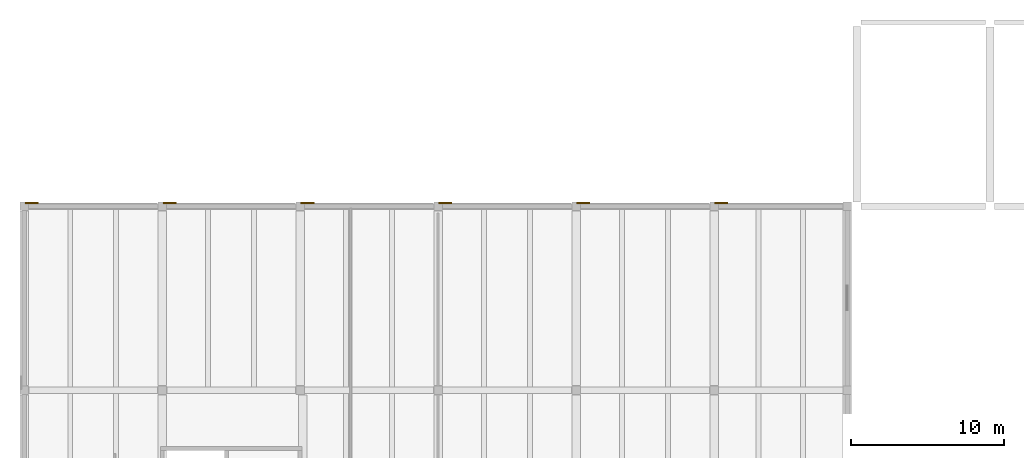
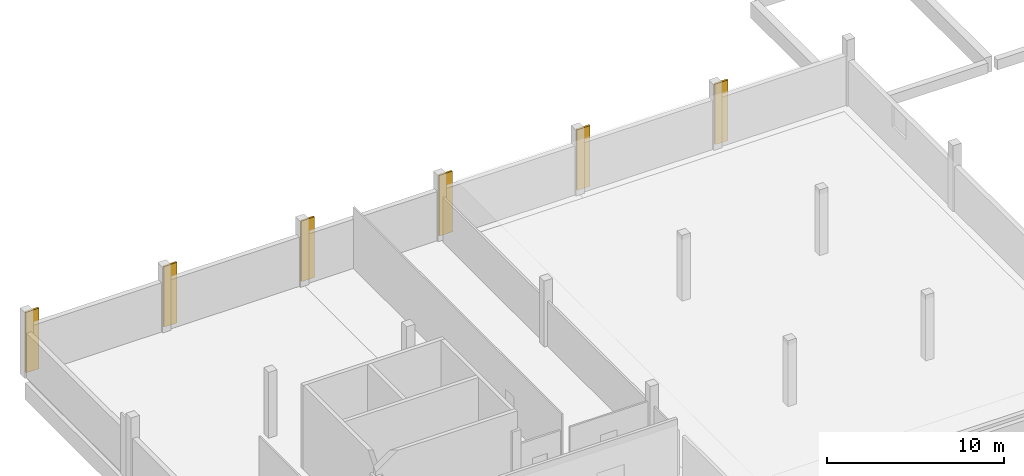
# One storey, part 25 of 25: 6 coverings.
"""IFC4 building model written with IfcOpenShell, lengths in metres."""

from ifc_helpers import new_model, si_unit, direction, frame, origin, origin_2d, place, context, subcontext, project, spatial, rectangle, extrude, material, layer, layer_set, type_object, element, save


model = new_model("IFC4")

# Units and contexts
model_context = context("Model", 3, precision=1e-05, world=origin(), true_north=direction((0.0, 1.0)))
body_context = subcontext(model_context, "Body", "Model", "MODEL_VIEW")
ifc_project = project(units=[si_unit("LENGTHUNIT", "METRE"), si_unit("AREAUNIT", "SQUARE_METRE"), si_unit("VOLUMEUNIT", "CUBIC_METRE"), si_unit("PLANEANGLEUNIT", "RADIAN"), si_unit("MASSUNIT", "GRAM", prefix="KILO")], contexts=[model_context])

# Site, building, storey
site_placement = place(None, origin())
site = spatial("IfcSite", under=ifc_project, at=site_placement, CompositionType="ELEMENT")
building_placement = place(site_placement, origin())
building = spatial("IfcBuilding", under=site, at=building_placement, Name="Zacnel Wholesale Market", CompositionType="ELEMENT")
storey_placement = place(building_placement, frame((0.0, 0.0, 15.75)))
storey = spatial("IfcBuildingStorey", under=building, at=storey_placement, Name="L04", CompositionType="ELEMENT", Elevation=15.75)

# Coverings
ifc_material = material(Name="Honed Yucatan Maya cream limestone", Category="masonry")
ifc_layer = layer(ifc_material, 0.090087890625)
ifc_layer_set = layer_set([ifc_layer], Name="Honed Yucatan Maya cream limestone")
covering_type = type_object("IfcCoveringType", Name="COV-CLAD-FRET", PredefinedType="CLADDING", material=ifc_layer_set)
for number, where, z_axis, x_axis, name in (
    (1, (18.47998046875, 132.2099609375, 0.02001953125), (0.0, 0.0, 1.0), (1.0, 0.0, 0.0), "Fluted Mayan-Deco limestone pilaster L04-0243"),
    (2, (27.47998046875, 132.2099609375, 0.02001953125), (0.0, 0.0, 1.0), (1.0, 0.0, 0.0), "Fluted Mayan-Deco limestone pilaster L04-0244"),
    (3, (36.47998046875, 132.2099609375, 0.02001953125), (0.0, 0.0, 1.0), (1.0, 0.0, 0.0), "Fluted Mayan-Deco limestone pilaster L04-0245"),
    (4, (45.47998046875, 132.2099609375, 0.02001953125), (0.0, 0.0, 1.0), (1.0, 0.0, 0.0), "Fluted Mayan-Deco limestone pilaster L04-0246"),
    (5, (54.47998046875, 132.2099609375, 0.02001953125), (0.0, 0.0, 1.0), (1.0, 0.0, 0.0), "Fluted Mayan-Deco limestone pilaster L04-0247"),
    (6, (63.47998046875, 132.2099609375, 0.02001953125), (0.0, 0.0, 1.0), (1.0, 0.0, 0.0), "Fluted Mayan-Deco limestone pilaster L04-0248"),
):
    element("IfcCovering", number, at=place(storey_placement, frame(where, z_axis=z_axis, x_axis=x_axis)), inside=storey, type_object=covering_type, Name=name, PredefinedType="CLADDING", context=body_context, shape_type="SweptSolid", body=[
        extrude(rectangle(XDim=0.85009765625, YDim=0.1201171875, at=origin_2d()), origin(), (0.0, 0.0, 1.0), 4.18994140625),
    ])

save(model, "model.ifc")
